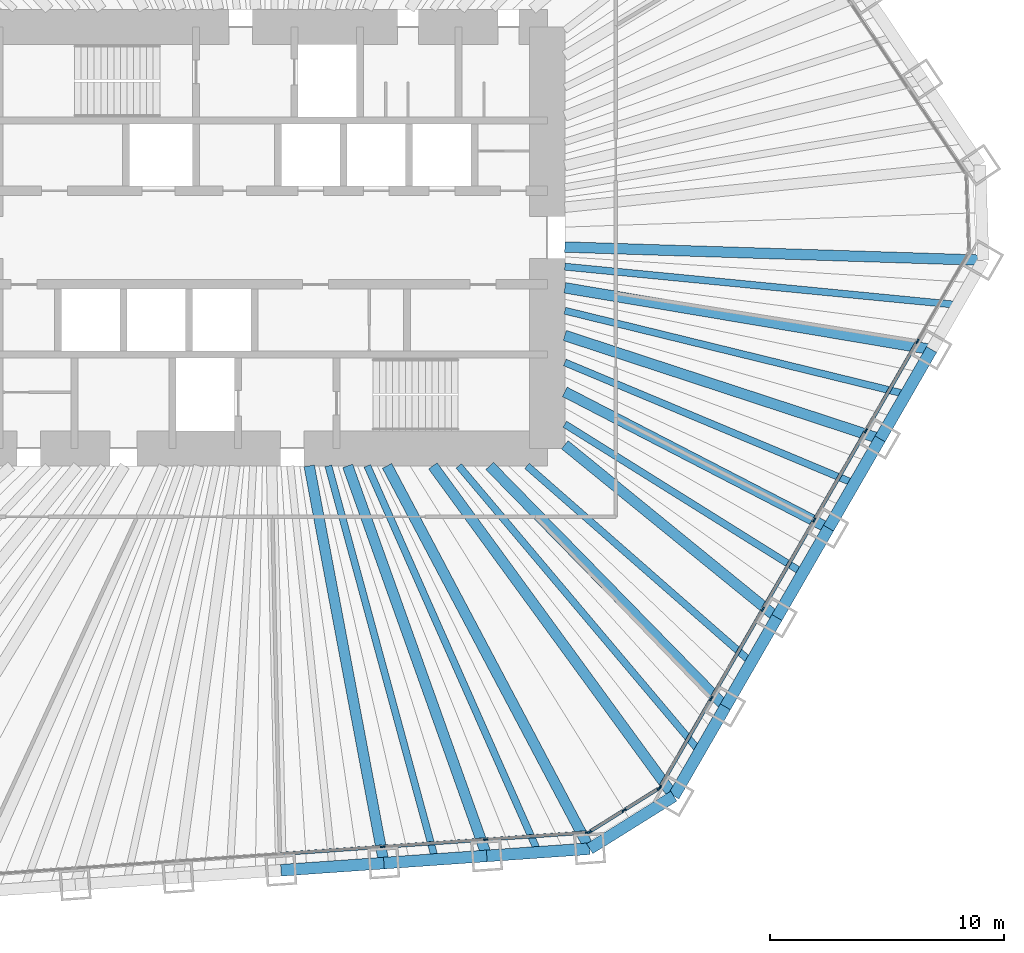
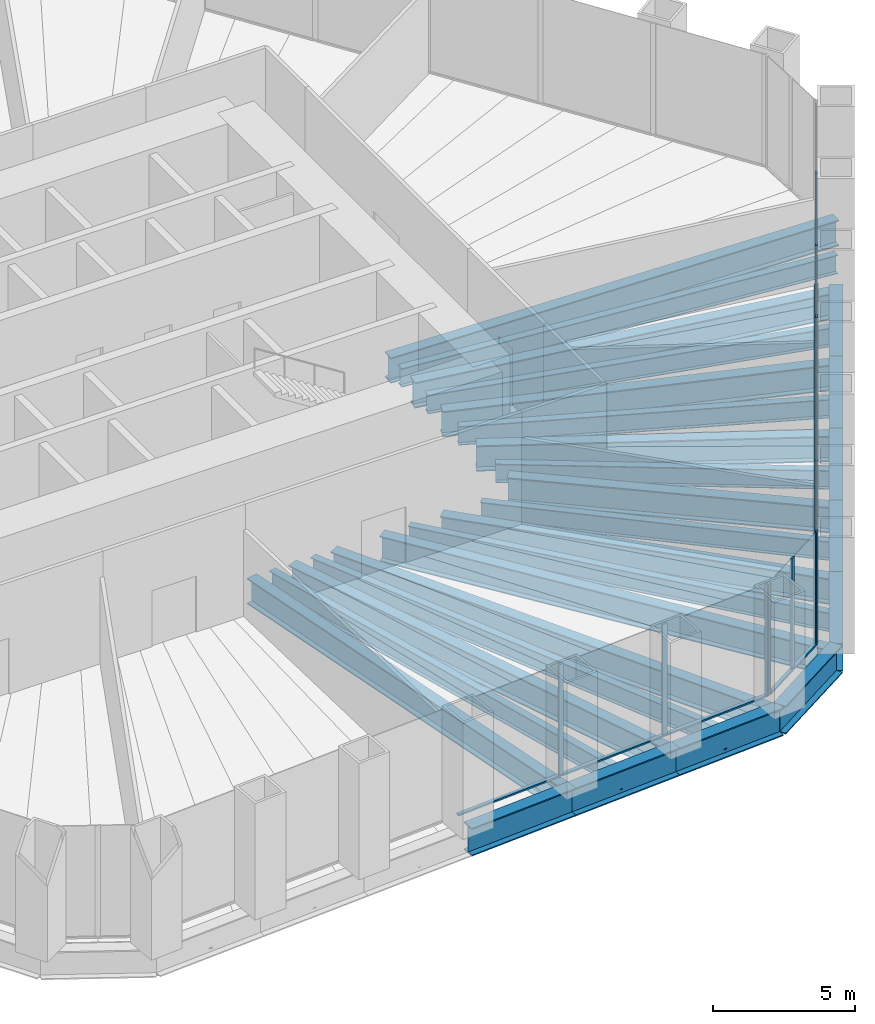
# One storey, part 4 of 14: 27 beams, 22 members, 3 elements without a shape of their own.
"""IFC4 building model written with IfcOpenShell, lengths in metres."""

import ifcopenshell
import ifcopenshell.guid

model = None  # the IFC model being written
_history = None  # IfcOwnerHistory: only IFC2X3 demands one
_inside = {}  # id of a spatial element -> (the spatial element, [elements in it])
_under = {}  # id of a project, library or spatial element -> (it, [spatial elements below it])
_declared = {}  # id of a project -> (the project, [libraries it declares])
_typed = {}  # id of a type object -> (the type object, [elements of that type])
_made_of = {}  # id of a material, layer set ... -> (it, [elements and type objects made of it])


def new_model(schema):
    """Start an empty IFC model of exactly this schema.

    Asked for "IFC4X3", IfcOpenShell would pick the latest addendum, in which some entities
    have other attributes; the version numbers below select the first issue.
    IFC2X3 requires an IfcOwnerHistory on every rooted entity: one is made here for all.
    """
    global model, _history
    if schema == "IFC4X3":
        model = ifcopenshell.file(schema_version=(4, 3, 0, 0))
    else:
        model = ifcopenshell.file(schema=schema)
    _inside.clear()
    _under.clear()
    _declared.clear()
    _typed.clear()
    _made_of.clear()
    _history = None
    if model.schema == "IFC2X3":
        org = make("IfcOrganization", Name="unknown")
        user = make(
            "IfcPersonAndOrganization",
            ThePerson=make("IfcPerson", FamilyName="unknown"),
            TheOrganization=org,
        )
        app = make(
            "IfcApplication",
            ApplicationDeveloper=org,
            Version="unknown",
            ApplicationFullName="unknown",
            ApplicationIdentifier="unknown",
        )
        _history = make(
            "IfcOwnerHistory",
            OwningUser=user,
            OwningApplication=app,
            ChangeAction="ADDED",
            CreationDate=0,
        )
    return model


def make(cls, **values):
    """One entity of the class cls with the attributes given. An attribute that is None is left unset."""
    return model.create_entity(
        cls, **{name: value for name, value in values.items() if value is not None}
    )


def rooted(cls, **values):
    """An entity with a GlobalId (a new one), such as an element, a storey or a relation."""
    return make(cls, GlobalId=ifcopenshell.guid.new(), OwnerHistory=_history, **values)


def si_unit(unit_type, name, prefix=None):
    """IfcSIUnit, for example si_unit("LENGTHUNIT", "METRE", prefix="MILLI")."""
    return make("IfcSIUnit", UnitType=unit_type, Prefix=prefix, Name=name)


def assignment(units):
    """IfcUnitAssignment: the units of a project."""
    return None if units is None else make("IfcUnitAssignment", Units=units)


def point(xyz):
    """IfcCartesianPoint."""
    return None if xyz is None else make("IfcCartesianPoint", Coordinates=xyz)


def direction(xyz):
    """IfcDirection."""
    return None if xyz is None else make("IfcDirection", DirectionRatios=xyz)


def frame(location, z_axis=None, x_axis=None):
    """IfcAxis2Placement3D, a coordinate frame: its origin and axes. An axis left out is left unset."""
    return make(
        "IfcAxis2Placement3D",
        Location=point(location),
        Axis=direction(z_axis),
        RefDirection=direction(x_axis),
    )


def frame_2d(location, x_axis=None):
    """IfcAxis2Placement2D, a coordinate frame in the plane: its origin and x axis."""
    return make(
        "IfcAxis2Placement2D", Location=point(location), RefDirection=direction(x_axis)
    )


def origin():
    """The frame at (0, 0, 0) with its axes left unset."""
    return frame((0.0, 0.0, 0.0))


def origin_2d():
    """The frame at (0, 0) in the plane with its x axis left unset."""
    return frame_2d((0.0, 0.0))


def place(relative_to, where):
    """IfcLocalPlacement: puts the frame where relative to a parent placement (None: the world)."""
    return make(
        "IfcLocalPlacement", PlacementRelTo=relative_to, RelativePlacement=where
    )


def context(
    kind, dimensions, precision=None, world=None, true_north=None, identifier=None
):
    """IfcGeometricRepresentationContext, for example the 3D "Model" context."""
    return make(
        "IfcGeometricRepresentationContext",
        ContextIdentifier=identifier,
        ContextType=kind,
        CoordinateSpaceDimension=dimensions,
        Precision=precision,
        WorldCoordinateSystem=world,
        TrueNorth=true_north,
    )


def subcontext(parent, identifier, kind, view, scale=None):
    """IfcGeometricRepresentationSubContext, for example "Body" below "Model"."""
    return make(
        "IfcGeometricRepresentationSubContext",
        ContextIdentifier=identifier,
        ContextType=kind,
        ParentContext=parent,
        TargetScale=scale,
        TargetView=view,
    )


def project(units=None, contexts=None):
    """IfcProject with its units and contexts."""
    return rooted(
        "IfcProject",
        Name="project",
        RepresentationContexts=contexts,
        UnitsInContext=assignment(units),
    )


def spatial(cls, under=None, at=None, **own):
    """A site, building, storey or space (cls), placed at a placement, below another one or the project."""
    s = rooted(cls, ObjectPlacement=at, **own)
    if under is not None:
        _under.setdefault(under.id(), (under, []))[1].append(s)
    return s


def profile(cls, at=None, kind="AREA", **sizes):
    """A parametric profile (cls). Its sizes go by their IFC names, for example OverallWidth=200.0."""
    return make(cls, ProfileType=kind, Position=at, **sizes)


def rectangle(**sizes):
    """IfcRectangleProfileDef."""
    return profile("IfcRectangleProfileDef", **sizes)


def i_section(**sizes):
    """IfcIShapeProfileDef."""
    return profile("IfcIShapeProfileDef", **sizes)


def extrude(swept, where, along, depth):
    """IfcExtrudedAreaSolid: the profile swept, set in the frame where, extruded along a direction by depth."""
    return make(
        "IfcExtrudedAreaSolid",
        SweptArea=swept,
        Position=where,
        ExtrudedDirection=direction(along),
        Depth=depth,
    )


def shape(context_of_items, identifier, shape_type, items):
    """IfcShapeRepresentation: the items that make up one representation, for example the "Body"."""
    return make(
        "IfcShapeRepresentation",
        ContextOfItems=context_of_items,
        RepresentationIdentifier=identifier,
        RepresentationType=shape_type,
        Items=items,
    )


def material(Name=None, Category=None):
    """IfcMaterial."""
    return make("IfcMaterial", Name=Name, Category=Category)


def material_profile(
    of_material, cross_section, Name=None, Category=None, Priority=None
):
    """IfcMaterialProfile: a cross section and its material."""
    return make(
        "IfcMaterialProfile",
        Name=Name,
        Material=of_material,
        Profile=cross_section,
        Priority=Priority,
        Category=Category,
    )


def profile_set(profiles, Name=None, composite=None):
    """IfcMaterialProfileSet."""
    return make(
        "IfcMaterialProfileSet",
        Name=Name,
        MaterialProfiles=profiles,
        CompositeProfile=composite,
    )


def made_of(thing, what):
    """Note that an element or type object is made of a material, layer set ...; save() writes the relation."""
    if what is not None:
        _made_of.setdefault(what.id(), (what, []))[1].append(thing)
    return thing


def type_object(cls, material=None, **own):
    """A type object (cls), such as IfcWallType, which elements share."""
    return made_of(rooted(cls, **own), material)


def element(
    cls,
    number,
    at=None,
    inside=None,
    cuts=None,
    type_object=None,
    material=None,
    context=None,
    identifier="Body",
    shape_type=None,
    held_by="IfcProductDefinitionShape",
    body=None,
    shapes=None,
    **own,
):
    """One element of the class cls, such as IfcWall. Its Tag is "e" and its number.

    at: its placement. inside: the storey or other place that contains it. cuts: it is an
    opening in that element (IfcRelVoidsElement). A single representation is given by context,
    identifier, shape_type and body (its items); several are given by shapes. held_by: the class
    of the entity that holds the representations. save() writes the other relations.
    """
    e = rooted(cls, Tag="e%d" % number, ObjectPlacement=at, **own)
    if body is not None:
        shapes = [shape(context, identifier, shape_type, body)]
    if shapes is not None:
        e.Representation = make(held_by, Representations=shapes)
    if inside is not None:
        _inside.setdefault(inside.id(), (inside, []))[1].append(e)
    if cuts is not None:
        rooted(
            "IfcRelVoidsElement", RelatingBuildingElement=cuts, RelatedOpeningElement=e
        )
    if type_object is not None:
        _typed.setdefault(type_object.id(), (type_object, []))[1].append(e)
    return made_of(e, material)


def aggregate(whole, parts):
    """IfcRelAggregates: a whole, such as a stair, and the parts it consists of."""
    return rooted("IfcRelAggregates", RelatingObject=whole, RelatedObjects=parts)


def save(model, path):
    """Write the relations noted so far, then the file.

    IfcRelAggregates (storeys below a building ...), IfcRelContainedInSpatialStructure (elements
    in a storey), IfcRelDefinesByType, IfcRelAssociatesMaterial and IfcRelDeclares: one each for
    every whole, place, type object, material and project.
    """
    for whole, parts in _under.values():
        aggregate(whole, parts)
    for where, things in _inside.values():
        rooted(
            "IfcRelContainedInSpatialStructure",
            RelatedElements=things,
            RelatingStructure=where,
        )
    for kind, things in _typed.values():
        rooted("IfcRelDefinesByType", RelatedObjects=things, RelatingType=kind)
    for what, things in _made_of.values():
        rooted("IfcRelAssociatesMaterial", RelatedObjects=things, RelatingMaterial=what)
    for by, libraries in _declared.values():
        rooted("IfcRelDeclares", RelatingContext=by, RelatedDefinitions=libraries)
    model.write(path)


model = new_model("IFC4")

# Units and contexts
model_context = context("Model", 3, precision=1e-05, world=origin(), true_north=direction((0.0, 1.0)))
body_context = subcontext(model_context, "Body", "Model", "MODEL_VIEW")
ifc_project = project(units=[si_unit("LENGTHUNIT", "METRE"), si_unit("AREAUNIT", "SQUARE_METRE"), si_unit("VOLUMEUNIT", "CUBIC_METRE"), si_unit("PLANEANGLEUNIT", "RADIAN"), si_unit("MASSUNIT", "GRAM", prefix="KILO")], contexts=[model_context])

# Site, building, storey
site_placement = place(None, origin())
site = spatial("IfcSite", under=ifc_project, at=site_placement, CompositionType="ELEMENT")
building_placement = place(site_placement, origin())
building = spatial("IfcBuilding", under=site, at=building_placement, Name="Qingtian Harvest Tower", CompositionType="ELEMENT")
storey_placement = place(building_placement, frame((0.0, 0.0, 52.0)))
storey = spatial("IfcBuildingStorey", under=building, at=storey_placement, Name="L10", CompositionType="ELEMENT", Elevation=52.0)

# Beams
ifc_material_1 = material(Name="Steel SM570MC", Category="steel")
ifc_material_profile_1 = material_profile(ifc_material_1, i_section(OverallWidth=0.449951171875, OverallDepth=1.10009765625, WebThickness=0.02197265625, FlangeThickness=0.044921875, at=origin_2d()), Name="H1100x450x22x45")
ifc_profile_set_1 = profile_set([ifc_material_profile_1], Name="Steel SM570MC")
beam_type_1 = type_object("IfcBeamType", Name="Corner floor beam FB8 H1100x450x22x45", PredefinedType="BEAM", material=ifc_profile_set_1)
beam_1_placement = place(storey_placement, frame((30.618408203125, -0.96728515625, -0.75), z_axis=(-0.999501426546, 0.031573696842, 0.0), x_axis=(-0.031573696842, -0.999501426546, 0.0)))
element("IfcBeam", 1, at=beam_1_placement, inside=storey, type_object=beam_type_1, Name="Floor beam FB8 SE0", PredefinedType="BEAM", context=body_context, shape_type="SweptSolid", body=[
    extrude(i_section(OverallWidth=0.449951171875, OverallDepth=1.10009765625, WebThickness=0.02197265625, FlangeThickness=0.044921875, at=origin_2d()), origin(), (0.0, 0.0, 1.0), 17.87744140625),
])
beam_2_placement = place(storey_placement, frame((17.404541015625, -23.854248046875, -0.75), z_axis=(-0.58941234871, 0.807832336062, 0.0), x_axis=(-0.807832336062, -0.58941234871, 0.0)))
element("IfcBeam", 2, at=beam_2_placement, inside=storey, type_object=beam_type_1, Name="Floor beam FB8 SE6", PredefinedType="BEAM", context=body_context, shape_type="SweptSolid", body=[
    extrude(i_section(OverallWidth=0.449951171875, OverallDepth=1.10009765625, WebThickness=0.02197265625, FlangeThickness=0.044921875, at=origin_2d()), origin(), (0.0, 0.0, 1.0), 17.45947265625),
])
beam_3_placement = place(storey_placement, frame((13.810546875, -26.10009765625, -0.75), z_axis=(-0.467705182679, 0.883884529843, 0.0), x_axis=(-0.883884529843, -0.467705182679, 0.0)))
element("IfcBeam", 3, at=beam_3_placement, inside=storey, type_object=beam_type_1, Name="Floor beam FB8 S0", PredefinedType="BEAM", context=body_context, shape_type="SweptSolid", body=[
    extrude(i_section(OverallWidth=0.449951171875, OverallDepth=1.10009765625, WebThickness=0.02197265625, FlangeThickness=0.044921875, at=origin_2d()), origin(), (0.0, 0.0, 1.0), 18.498046875),
])
ifc_material_2 = material(Name="Steel SM570MC", Category="steel")
ifc_material_profile_2 = material_profile(ifc_material_2, i_section(OverallWidth=0.449951171875, OverallDepth=1.10009765625, WebThickness=0.02197265625, FlangeThickness=0.044921875, at=origin_2d()), Name="H1100x450x22x45")
ifc_profile_set_2 = profile_set([ifc_material_profile_2], Name="Steel SM570MC")
beam_type_2 = type_object("IfcBeamType", Name="Floor beam FB1 H1100x450x22x45", PredefinedType="BEAM", material=ifc_profile_set_2)
beam_4_placement = place(storey_placement, frame((28.416015625, -4.78173828125, -0.75), z_axis=(-0.986135195489, 0.16594389479, 0.0), x_axis=(-0.16594389479, -0.986135195489, 0.0)))
element("IfcBeam", 4, at=beam_4_placement, inside=storey, type_object=beam_type_2, Name="Floor beam FB1 SE1", PredefinedType="BEAM", context=body_context, shape_type="SweptSolid", body=[
    extrude(i_section(OverallWidth=0.449951171875, OverallDepth=1.10009765625, WebThickness=0.02197265625, FlangeThickness=0.044921875, at=origin_2d()), origin(), (0.0, 0.0, 1.0), 15.88623046875),
])
beam_5_placement = place(storey_placement, frame((26.2138671875, -8.596435546875, -0.75), z_axis=(-0.950210724421, 0.311608053803, 0.0), x_axis=(-0.311608053803, -0.950210724421, 0.0)))
element("IfcBeam", 5, at=beam_5_placement, inside=storey, type_object=beam_type_2, Name="Floor beam FB1 SE2", PredefinedType="BEAM", context=body_context, shape_type="SweptSolid", body=[
    extrude(i_section(OverallWidth=0.449951171875, OverallDepth=1.10009765625, WebThickness=0.02197265625, FlangeThickness=0.044921875, at=origin_2d()), origin(), (0.0, 0.0, 1.0), 14.16943359375),
])
beam_6_placement = place(storey_placement, frame((24.011474609375, -12.410888671875, -0.75), z_axis=(-0.888349581519, 0.45916774823, 0.0), x_axis=(-0.45916774823, -0.888349581519, 0.0)))
element("IfcBeam", 6, at=beam_6_placement, inside=storey, type_object=beam_type_2, Name="Floor beam FB1 SE3", PredefinedType="BEAM", context=body_context, shape_type="SweptSolid", body=[
    extrude(i_section(OverallWidth=0.449951171875, OverallDepth=1.10009765625, WebThickness=0.02197265625, FlangeThickness=0.044921875, at=origin_2d()), origin(), (0.0, 0.0, 1.0), 12.6767578125),
])
beam_7_placement = place(storey_placement, frame((21.809326171875, -16.225341796875, -0.75), z_axis=(-0.775504415669, 0.631342142802, 0.0), x_axis=(-0.631342142802, -0.775504415669, 0.0)))
element("IfcBeam", 7, at=beam_7_placement, inside=storey, type_object=beam_type_2, Name="Floor beam FB1 SE4", PredefinedType="BEAM", context=body_context, shape_type="SweptSolid", body=[
    extrude(i_section(OverallWidth=0.449951171875, OverallDepth=1.10009765625, WebThickness=0.02197265625, FlangeThickness=0.044921875, at=origin_2d()), origin(), (0.0, 0.0, 1.0), 11.681884765625),
])
beam_8_placement = place(storey_placement, frame((19.60693359375, -20.039794921875, -0.75), z_axis=(-0.699348221539, 0.714781130858, 0.0), x_axis=(-0.714781130858, -0.699348221539, 0.0)))
element("IfcBeam", 8, at=beam_8_placement, inside=storey, type_object=beam_type_2, Name="Floor beam FB1 SE5", PredefinedType="BEAM", context=body_context, shape_type="SweptSolid", body=[
    extrude(i_section(OverallWidth=0.449951171875, OverallDepth=1.10009765625, WebThickness=0.02197265625, FlangeThickness=0.044921875, at=origin_2d()), origin(), (0.0, 0.0, 1.0), 14.395751953125),
])
beam_9_placement = place(storey_placement, frame((9.41650390625, -26.407470703125, -0.75), z_axis=(-0.33586498155, 0.941910141239, 0.0), x_axis=(-0.941910141239, -0.33586498155, 0.0)))
element("IfcBeam", 9, at=beam_9_placement, inside=storey, type_object=beam_type_2, Name="Floor beam FB1 S1", PredefinedType="BEAM", context=body_context, shape_type="SweptSolid", body=[
    extrude(i_section(OverallWidth=0.449951171875, OverallDepth=1.10009765625, WebThickness=0.02197265625, FlangeThickness=0.044921875, at=origin_2d()), origin(), (0.0, 0.0, 1.0), 17.684814453125),
])
beam_10_placement = place(storey_placement, frame((5.022705078125, -26.714599609375, -0.75), z_axis=(-0.184782942099, 0.98277935688, 0.0), x_axis=(-0.98277935688, -0.184782942099, 0.0)))
element("IfcBeam", 10, at=beam_10_placement, inside=storey, type_object=beam_type_2, Name="Floor beam FB1 S2", PredefinedType="BEAM", context=body_context, shape_type="SweptSolid", body=[
    extrude(i_section(OverallWidth=0.449951171875, OverallDepth=1.10009765625, WebThickness=0.02197265625, FlangeThickness=0.044921875, at=origin_2d()), origin(), (0.0, 0.0, 1.0), 17.261962890625),
])
ifc_material_3 = material(Name="Steel SN490B", Category="steel")
ifc_material_profile_3 = material_profile(ifc_material_3, i_section(OverallWidth=0.300048828125, OverallDepth=0.800048828125, WebThickness=0.013916015625, FlangeThickness=0.02587890625, at=origin_2d()), Name="H800x300x14x26")
ifc_profile_set_3 = profile_set([ifc_material_profile_3], Name="Steel SN490B")
beam_type_3 = type_object("IfcBeamType", Name="Floor joist J1 H800x300x14x26", PredefinedType="JOIST", material=ifc_profile_set_3)
beam_11_placement = place(storey_placement, frame((29.517333984375, -2.87451171875, -0.60009765625), z_axis=(-0.995291970786, 0.096922097011, 0.0), x_axis=(-0.096922097011, -0.995291970786, 0.0)))
element("IfcBeam", 11, at=beam_11_placement, inside=storey, type_object=beam_type_3, Name="Floor joist J1 SE0", PredefinedType="JOIST", context=body_context, shape_type="SweptSolid", body=[
    extrude(i_section(OverallWidth=0.300048828125, OverallDepth=0.800048828125, WebThickness=0.013916015625, FlangeThickness=0.02587890625, at=origin_2d()), origin(), (0.0, 0.0, 1.0), 16.8466796875),
])
beam_12_placement = place(storey_placement, frame((27.31494140625, -6.68896484375, -0.60009765625), z_axis=(-0.971301533706, 0.237851488583, 0.0), x_axis=(-0.237851488583, -0.971301533706, 0.0)))
element("IfcBeam", 12, at=beam_12_placement, inside=storey, type_object=beam_type_3, Name="Floor joist J1 SE1", PredefinedType="JOIST", context=body_context, shape_type="SweptSolid", body=[
    extrude(i_section(OverallWidth=0.300048828125, OverallDepth=0.800048828125, WebThickness=0.013916015625, FlangeThickness=0.02587890625, at=origin_2d()), origin(), (0.0, 0.0, 1.0), 14.995361328125),
])
beam_13_placement = place(storey_placement, frame((25.112548828125, -10.503662109375, -0.60009765625), z_axis=(-0.922550516103, 0.385876334125, 0.0), x_axis=(-0.385876334125, -0.922550516103, 0.0)))
element("IfcBeam", 13, at=beam_13_placement, inside=storey, type_object=beam_type_3, Name="Floor joist J1 SE2", PredefinedType="JOIST", context=body_context, shape_type="SweptSolid", body=[
    extrude(i_section(OverallWidth=0.300048828125, OverallDepth=0.800048828125, WebThickness=0.013916015625, FlangeThickness=0.02587890625, at=origin_2d()), origin(), (0.0, 0.0, 1.0), 13.400390625),
])
beam_14_placement = place(storey_placement, frame((22.910400390625, -14.318115234375, -0.60009765625), z_axis=(-0.848013185461, 0.52997512893, 0.0), x_axis=(-0.52997512893, -0.848013185461, 0.0)))
element("IfcBeam", 14, at=beam_14_placement, inside=storey, type_object=beam_type_3, Name="Floor joist J1 SE3", PredefinedType="JOIST", context=body_context, shape_type="SweptSolid", body=[
    extrude(i_section(OverallWidth=0.300048828125, OverallDepth=0.800048828125, WebThickness=0.013916015625, FlangeThickness=0.02587890625, at=origin_2d()), origin(), (0.0, 0.0, 1.0), 11.9814453125),
])
beam_15_placement = place(storey_placement, frame((20.7080078125, -18.132568359375, -0.60009765625), z_axis=(-0.75234369212, 0.658770801514, 0.0), x_axis=(-0.658770801514, -0.75234369212, 0.0)))
element("IfcBeam", 15, at=beam_15_placement, inside=storey, type_object=beam_type_3, Name="Floor joist J1 SE4", PredefinedType="JOIST", context=body_context, shape_type="SweptSolid", body=[
    extrude(i_section(OverallWidth=0.300048828125, OverallDepth=0.800048828125, WebThickness=0.013916015625, FlangeThickness=0.02587890625, at=origin_2d()), origin(), (0.0, 0.0, 1.0), 12.724609375),
])
beam_16_placement = place(storey_placement, frame((18.505859375, -21.947021484375, -0.60009765625), z_axis=(-0.644630398038, 0.76449437534, 0.0), x_axis=(-0.76449437534, -0.644630398038, 0.0)))
element("IfcBeam", 16, at=beam_16_placement, inside=storey, type_object=beam_type_3, Name="Floor joist J1 SE5", PredefinedType="JOIST", context=body_context, shape_type="SweptSolid", body=[
    extrude(i_section(OverallWidth=0.300048828125, OverallDepth=0.800048828125, WebThickness=0.013916015625, FlangeThickness=0.02587890625, at=origin_2d()), origin(), (0.0, 0.0, 1.0), 15.954345703125),
])
beam_17_placement = place(storey_placement, frame((11.613525390625, -26.25390625, -0.60009765625), z_axis=(-0.404539958959, 0.914520323233, 0.0), x_axis=(-0.914520323233, -0.404539958959, 0.0)))
element("IfcBeam", 17, at=beam_17_placement, inside=storey, type_object=beam_type_3, Name="Floor joist J1 S0", PredefinedType="JOIST", context=body_context, shape_type="SweptSolid", body=[
    extrude(i_section(OverallWidth=0.300048828125, OverallDepth=0.800048828125, WebThickness=0.013916015625, FlangeThickness=0.02587890625, at=origin_2d()), origin(), (0.0, 0.0, 1.0), 18.046630859375),
])
beam_18_placement = place(storey_placement, frame((7.2197265625, -26.56103515625, -0.60009765625), z_axis=(-0.262302659247, 0.964985655309, 0.0), x_axis=(-0.964985655309, -0.262302659247, 0.0)))
element("IfcBeam", 18, at=beam_18_placement, inside=storey, type_object=beam_type_3, Name="Floor joist J1 S1", PredefinedType="JOIST", context=body_context, shape_type="SweptSolid", body=[
    extrude(i_section(OverallWidth=0.300048828125, OverallDepth=0.800048828125, WebThickness=0.013916015625, FlangeThickness=0.02587890625, at=origin_2d()), origin(), (0.0, 0.0, 1.0), 17.421142578125),
])

# Curtain wall, members
ifc_material_4 = material(Name="Bronze-anodised aluminium curtain wall", Category="aluminium")
curtain_wall_type = type_object("IfcCurtainWallType", Name="Curtain wall CW2 farm reception", PredefinedType="USERDEFINED", material=ifc_material_4)
curtain_wall_1_placement = place(storey_placement, origin())
curtain_wall_1 = element("IfcCurtainWall", 19, at=curtain_wall_1_placement, inside=storey, type_object=curtain_wall_type, Name="Curtain wall CW2 L10 SE0-5", ObjectType="RECESSED CURTAIN WALL", PredefinedType="USERDEFINED")
ifc_material_5 = material(Name="Bronze-anodised aluminium mullion", Category="aluminium")
ifc_material_profile_4 = material_profile(ifc_material_5, rectangle(XDim=0.06494140625, YDim=0.199951171875, at=origin_2d()), Name="AL 65x200")
ifc_profile_set_4 = profile_set([ifc_material_profile_4], Name="Bronze-anodised aluminium mullion")
member_type_1 = type_object("IfcMemberType", Name="Mullion CWM 65x200", PredefinedType="MULLION", material=ifc_profile_set_4)
member_1_placement = place(storey_placement, frame((27.809814453125, -4.431884765625, 0.0), z_axis=(0.0, 0.0, 1.0), x_axis=(0.866025403784, -0.5, 0.0)))
member_1 = element("IfcMember", 20, at=member_1_placement, type_object=member_type_1, Name="CW2 mullion 2", PredefinedType="MULLION", context=body_context, shape_type="SweptSolid", body=[
    extrude(rectangle(XDim=0.06494140625, YDim=0.199951171875, at=origin_2d()), origin(), (0.0, 0.0, 1.0), 4.800048828125),
])
member_2_placement = place(storey_placement, frame((25.607666015625, -8.246337890625, 0.0), z_axis=(0.0, 0.0, 1.0), x_axis=(0.866025403784, -0.5, 0.0)))
member_2 = element("IfcMember", 21, at=member_2_placement, type_object=member_type_1, Name="CW2 mullion 3", PredefinedType="MULLION", context=body_context, shape_type="SweptSolid", body=[
    extrude(rectangle(XDim=0.06494140625, YDim=0.199951171875, at=origin_2d()), origin(), (0.0, 0.0, 1.0), 4.800048828125),
])
member_3_placement = place(storey_placement, frame((23.4052734375, -12.060791015625, 0.0), z_axis=(0.0, 0.0, 1.0), x_axis=(0.866025403784, -0.5, 0.0)))
member_3 = element("IfcMember", 22, at=member_3_placement, type_object=member_type_1, Name="CW2 mullion 4", PredefinedType="MULLION", context=body_context, shape_type="SweptSolid", body=[
    extrude(rectangle(XDim=0.06494140625, YDim=0.199951171875, at=origin_2d()), origin(), (0.0, 0.0, 1.0), 4.800048828125),
])
member_4_placement = place(storey_placement, frame((21.202880859375, -15.875244140625, 0.0), z_axis=(0.0, 0.0, 1.0), x_axis=(0.866025403784, -0.5, 0.0)))
member_4 = element("IfcMember", 23, at=member_4_placement, type_object=member_type_1, Name="CW2 mullion 5", PredefinedType="MULLION", context=body_context, shape_type="SweptSolid", body=[
    extrude(rectangle(XDim=0.06494140625, YDim=0.199951171875, at=origin_2d()), origin(), (0.0, 0.0, 1.0), 4.800048828125),
])
member_5_placement = place(storey_placement, frame((19.000732421875, -19.68994140625, 0.0), z_axis=(0.0, 0.0, 1.0), x_axis=(0.866025403784, -0.5, 0.0)))
member_5 = element("IfcMember", 24, at=member_5_placement, type_object=member_type_1, Name="CW2 mullion 6", PredefinedType="MULLION", context=body_context, shape_type="SweptSolid", body=[
    extrude(rectangle(XDim=0.06494140625, YDim=0.199951171875, at=origin_2d()), origin(), (0.0, 0.0, 1.0), 4.800048828125),
])
member_6_placement = place(storey_placement, frame((16.814697265625, -23.47607421875, 0.0), z_axis=(0.0, 0.0, 1.0), x_axis=(0.866025403784, -0.5, 0.0)))
member_6 = element("IfcMember", 25, at=member_6_placement, type_object=member_type_1, Name="CW2 mullion 7", PredefinedType="MULLION", context=body_context, shape_type="SweptSolid", body=[
    extrude(rectangle(XDim=0.06494140625, YDim=0.199951171875, at=origin_2d()), origin(), (0.0, 0.0, 1.0), 4.800048828125),
])

curtain_wall_2_placement = place(storey_placement, origin())
curtain_wall_2 = element("IfcCurtainWall", 26, at=curtain_wall_2_placement, inside=storey, type_object=curtain_wall_type, Name="Curtain wall CW2 L10 SEC", ObjectType="RECESSED CURTAIN WALL", PredefinedType="USERDEFINED")
member_7_placement = place(storey_placement, frame((16.770751953125, -23.521484375, 0.0), z_axis=(0.0, 0.0, 1.0), x_axis=(0.529919264233, -0.848048096156, 0.0)))
member_7 = element("IfcMember", 27, at=member_7_placement, type_object=member_type_1, Name="CW2 mullion 1", PredefinedType="MULLION", context=body_context, shape_type="SweptSolid", body=[
    extrude(rectangle(XDim=0.06494140625, YDim=0.199951171875, at=origin_2d()), origin(), (0.0, 0.0, 1.0), 4.800048828125),
])
member_8_placement = place(storey_placement, frame((15.280029296875, -24.453125, 0.0), z_axis=(0.0, 0.0, 1.0), x_axis=(0.529919264233, -0.848048096156, 0.0)))
member_8 = element("IfcMember", 28, at=member_8_placement, type_object=member_type_1, Name="CW2 mullion 2", PredefinedType="MULLION", context=body_context, shape_type="SweptSolid", body=[
    extrude(rectangle(XDim=0.06494140625, YDim=0.199951171875, at=origin_2d()), origin(), (0.0, 0.0, 1.0), 4.800048828125),
])
member_9_placement = place(storey_placement, frame((13.789306640625, -25.384765625, 0.0), z_axis=(0.0, 0.0, 1.0), x_axis=(0.529919264233, -0.848048096156, 0.0)))
member_9 = element("IfcMember", 29, at=member_9_placement, type_object=member_type_1, Name="CW2 mullion 3", PredefinedType="MULLION", context=body_context, shape_type="SweptSolid", body=[
    extrude(rectangle(XDim=0.06494140625, YDim=0.199951171875, at=origin_2d()), origin(), (0.0, 0.0, 1.0), 4.800048828125),
])

curtain_wall_3_placement = place(storey_placement, origin())
curtain_wall_3 = element("IfcCurtainWall", 30, at=curtain_wall_3_placement, inside=storey, type_object=curtain_wall_type, Name="Curtain wall CW2 L10 S0-5", ObjectType="RECESSED CURTAIN WALL", PredefinedType="USERDEFINED")
member_10_placement = place(storey_placement, frame((13.729248046875, -25.404296875, 0.0), z_axis=(0.0, 0.0, 1.0), x_axis=(0.069756473744, -0.99756405026, 0.0)))
member_10 = element("IfcMember", 31, at=member_10_placement, type_object=member_type_1, Name="CW2 mullion 1", PredefinedType="MULLION", context=body_context, shape_type="SweptSolid", body=[
    extrude(rectangle(XDim=0.06494140625, YDim=0.199951171875, at=origin_2d()), origin(), (0.0, 0.0, 1.0), 4.800048828125),
])
member_11_placement = place(storey_placement, frame((9.36767578125, -25.709228515625, 0.0), z_axis=(0.0, 0.0, 1.0), x_axis=(0.069756473744, -0.99756405026, 0.0)))
member_11 = element("IfcMember", 32, at=member_11_placement, type_object=member_type_1, Name="CW2 mullion 2", PredefinedType="MULLION", context=body_context, shape_type="SweptSolid", body=[
    extrude(rectangle(XDim=0.06494140625, YDim=0.199951171875, at=origin_2d()), origin(), (0.0, 0.0, 1.0), 4.800048828125),
])
member_12_placement = place(storey_placement, frame((4.973876953125, -26.016357421875, 0.0), z_axis=(0.0, 0.0, 1.0), x_axis=(0.069756473744, -0.99756405026, 0.0)))
member_12 = element("IfcMember", 33, at=member_12_placement, type_object=member_type_1, Name="CW2 mullion 3", PredefinedType="MULLION", context=body_context, shape_type="SweptSolid", body=[
    extrude(rectangle(XDim=0.06494140625, YDim=0.199951171875, at=origin_2d()), origin(), (0.0, 0.0, 1.0), 4.800048828125),
])

# Beams
ifc_material_6 = material(Name="Steel SM570MC", Category="steel")
ifc_material_profile_5 = material_profile(ifc_material_6, i_section(OverallWidth=0.5, OverallDepth=1.199951171875, WebThickness=0.02490234375, FlangeThickness=0.050048828125, at=origin_2d()), Name="H1200x500x25x50")
ifc_profile_set_5 = profile_set([ifc_material_profile_5], Name="Steel SM570MC")
beam_type_4 = type_object("IfcBeamType", Name="Spandrel beam SB1 H1200x500x25x50", PredefinedType="SPANDREL", material=ifc_profile_set_5)
beam_19_placement = place(storey_placement, frame((28.416015625, -4.78173828125, -0.60009765625), z_axis=(-0.499954356739, -0.86605175433, 0.0), x_axis=(0.86605175433, -0.499954356739, 0.0)))
element("IfcBeam", 34, at=beam_19_placement, inside=storey, type_object=beam_type_4, Name="Spandrel SB1 SE1", PredefinedType="SPANDREL", context=body_context, shape_type="SweptSolid", body=[
    extrude(i_section(OverallWidth=0.5, OverallDepth=1.199951171875, WebThickness=0.02490234375, FlangeThickness=0.050048828125, at=origin_2d()), origin(), (0.0, 0.0, 1.0), 4.40478515625),
])
for number, where, z_axis, x_axis, name in (
    (35, (26.2138671875, -8.596435546875, -0.60009765625), (-0.50001992892, -0.866013897511, 0.0), (0.866013897511, -0.50001992892, 0.0), "Spandrel SB1 SE2"),
    (36, (24.011474609375, -12.410888671875, -0.60009765625), (-0.499978356969, -0.866037899034, 0.0), (0.866037899034, -0.499978356969, 0.0), "Spandrel SB1 SE3"),
    (37, (21.809326171875, -16.225341796875, -0.60009765625), (-0.50001992892, -0.866013897511, 0.0), (0.866013897511, -0.50001992892, 0.0), "Spandrel SB1 SE4"),
    (38, (19.60693359375, -20.039794921875, -0.60009765625), (-0.50001992892, -0.866013897511, 0.0), (0.866013897511, -0.50001992892, 0.0), "Spandrel SB1 SE5"),
):
    element("IfcBeam", number, at=place(storey_placement, frame(where, z_axis=z_axis, x_axis=x_axis)), inside=storey, type_object=beam_type_4, Name=name, PredefinedType="SPANDREL", context=body_context, shape_type="SweptSolid", body=[
        extrude(i_section(OverallWidth=0.5, OverallDepth=1.199951171875, WebThickness=0.02490234375, FlangeThickness=0.050048828125, at=origin_2d()), origin(), (0.0, 0.0, 1.0), 4.404541015625),
    ])
beam_20_placement = place(storey_placement, frame((17.404541015625, -23.854248046875, -0.60009765625), z_axis=(-0.848040374245, -0.529931621675, 0.0), x_axis=(0.529931621675, -0.848040374245, 0.0)))
element("IfcBeam", 39, at=beam_20_placement, inside=storey, type_object=beam_type_4, Name="Spandrel SB1 SEC", PredefinedType="SPANDREL", context=body_context, shape_type="SweptSolid", body=[
    extrude(i_section(OverallWidth=0.5, OverallDepth=1.199951171875, WebThickness=0.02490234375, FlangeThickness=0.050048828125, at=origin_2d()), origin(), (0.0, 0.0, 1.0), 4.238037109375),
])
beam_21_placement = place(storey_placement, frame((13.810546875, -26.10009765625, -0.60009765625), z_axis=(-0.997562286406, -0.069781693443, 0.0), x_axis=(0.069781693443, -0.997562286406, 0.0)))
element("IfcBeam", 40, at=beam_21_placement, inside=storey, type_object=beam_type_4, Name="Spandrel SB1 S0", PredefinedType="SPANDREL", context=body_context, shape_type="SweptSolid", body=[
    extrude(i_section(OverallWidth=0.5, OverallDepth=1.199951171875, WebThickness=0.02490234375, FlangeThickness=0.050048828125, at=origin_2d()), origin(), (0.0, 0.0, 1.0), 4.40478515625),
])
for number, where, z_axis, x_axis, name in (
    (41, (9.41650390625, -26.407470703125, -0.60009765625), (-0.997565873714, -0.069730392239, 0.0), (0.069730392239, -0.997565873714, 0.0), "Spandrel SB1 S1"),
    (42, (5.022705078125, -26.714599609375, -0.60009765625), (-0.997562016486, -0.069785551967, 0.0), (0.069785551967, -0.997562016486, 0.0), "Spandrel SB1 S2"),
):
    element("IfcBeam", number, at=place(storey_placement, frame(where, z_axis=z_axis, x_axis=x_axis)), inside=storey, type_object=beam_type_4, Name=name, PredefinedType="SPANDREL", context=body_context, shape_type="SweptSolid", body=[
        extrude(i_section(OverallWidth=0.5, OverallDepth=1.199951171875, WebThickness=0.02490234375, FlangeThickness=0.050048828125, at=origin_2d()), origin(), (0.0, 0.0, 1.0), 4.404541015625),
    ])

# Member
ifc_material_7 = material(Name="Bronze-anodised aluminium transom", Category="aluminium")
ifc_material_profile_6 = material_profile(ifc_material_7, rectangle(XDim=0.14990234375, YDim=0.06494140625, at=origin_2d()), Name="AL 65x150")
ifc_profile_set_6 = profile_set([ifc_material_profile_6], Name="Bronze-anodised aluminium transom")
member_type_2 = type_object("IfcMemberType", Name="Transom CWT 65x150", PredefinedType="USERDEFINED", material=ifc_profile_set_6)
member_13_placement = place(storey_placement, frame((27.793701171875, -4.4599609375, 0.032470703125), z_axis=(-0.500011390128, -0.866018827591, 0.0), x_axis=(0.866018827591, -0.500011390128, 0.0)))
member_13 = element("IfcMember", 43, at=member_13_placement, type_object=member_type_2, Name="CW2 transom 2.1", ObjectType="TRANSOM", PredefinedType="USERDEFINED", context=body_context, shape_type="SweptSolid", body=[
    extrude(rectangle(XDim=0.14990234375, YDim=0.06494140625, at=origin_2d()), origin(), (0.0, 0.0, 1.0), 4.33984375),
])

member_14_placement = place(storey_placement, frame((25.59130859375, -8.2744140625, 0.032470703125), z_axis=(-0.499969196308, -0.866043187574, 0.0), x_axis=(0.866043187574, -0.499969196308, 0.0)))
member_14 = element("IfcMember", 44, at=member_14_placement, type_object=member_type_2, Name="CW2 transom 3.1", ObjectType="TRANSOM", PredefinedType="USERDEFINED", context=body_context, shape_type="SweptSolid", body=[
    extrude(rectangle(XDim=0.14990234375, YDim=0.06494140625, at=origin_2d()), origin(), (0.0, 0.0, 1.0), 4.339599609375),
])

member_15_placement = place(storey_placement, frame((23.38916015625, -12.0888671875, 0.032470703125), z_axis=(-0.500011390128, -0.866018827591, 0.0), x_axis=(0.866018827591, -0.500011390128, 0.0)))
member_15 = element("IfcMember", 45, at=member_15_placement, type_object=member_type_2, Name="CW2 transom 4.1", ObjectType="TRANSOM", PredefinedType="USERDEFINED", context=body_context, shape_type="SweptSolid", body=[
    extrude(rectangle(XDim=0.14990234375, YDim=0.06494140625, at=origin_2d()), origin(), (0.0, 0.0, 1.0), 4.33984375),
])

member_16_placement = place(storey_placement, frame((21.186767578125, -15.903564453125, 0.032470703125), z_axis=(-0.500035751442, -0.866004761696, 0.0), x_axis=(0.866004761696, -0.500035751442, 0.0)))
member_16 = element("IfcMember", 46, at=member_16_placement, type_object=member_type_2, Name="CW2 transom 5.1", ObjectType="TRANSOM", PredefinedType="USERDEFINED", context=body_context, shape_type="SweptSolid", body=[
    extrude(rectangle(XDim=0.14990234375, YDim=0.06494140625, at=origin_2d()), origin(), (0.0, 0.0, 1.0), 4.339599609375),
])

member_17_placement = place(storey_placement, frame((18.984375, -19.718017578125, 0.032470703125), z_axis=(-0.500010313095, -0.866019449435, 0.0), x_axis=(0.866019449435, -0.500010313095, 0.0)))
member_17 = element("IfcMember", 47, at=member_17_placement, type_object=member_type_2, Name="CW2 transom 6.1", ObjectType="TRANSOM", PredefinedType="USERDEFINED", context=body_context, shape_type="SweptSolid", body=[
    extrude(rectangle(XDim=0.14990234375, YDim=0.06494140625, at=origin_2d()), origin(), (0.0, 0.0, 1.0), 4.30712890625),
])

aggregate(curtain_wall_1, [member_1, member_2, member_3, member_4, member_5, member_6, member_13, member_14, member_15, member_16, member_17])

member_18_placement = place(storey_placement, frame((16.7431640625, -23.538818359375, 0.032470703125), z_axis=(-0.848063119425, -0.529895221219, 0.0), x_axis=(0.529895221219, -0.848063119425, 0.0)))
member_18 = element("IfcMember", 48, at=member_18_placement, type_object=member_type_2, Name="CW2 transom 1.1", ObjectType="TRANSOM", PredefinedType="USERDEFINED", context=body_context, shape_type="SweptSolid", body=[
    extrude(rectangle(XDim=0.14990234375, YDim=0.06494140625, at=origin_2d()), origin(), (0.0, 0.0, 1.0), 1.692626953125),
])

member_19_placement = place(storey_placement, frame((15.25244140625, -24.470458984375, 0.032470703125), z_axis=(-0.848103609743, -0.529830413568, 0.0), x_axis=(0.529830413568, -0.848103609743, 0.0)))
member_19 = element("IfcMember", 49, at=member_19_placement, type_object=member_type_2, Name="CW2 transom 2.1", ObjectType="TRANSOM", PredefinedType="USERDEFINED", context=body_context, shape_type="SweptSolid", body=[
    extrude(rectangle(XDim=0.14990234375, YDim=0.06494140625, at=origin_2d()), origin(), (0.0, 0.0, 1.0), 1.69287109375),
])

aggregate(curtain_wall_2, [member_7, member_8, member_9, member_18, member_19])

member_20_placement = place(storey_placement, frame((13.69677734375, -25.406494140625, 0.032470703125), z_axis=(-0.997566581753, -0.069720262262, 0.0), x_axis=(0.069720262262, -0.997566581753, 0.0)))
member_20 = element("IfcMember", 50, at=member_20_placement, type_object=member_type_2, Name="CW2 transom 1.1", ObjectType="TRANSOM", PredefinedType="USERDEFINED", context=body_context, shape_type="SweptSolid", body=[
    extrude(rectangle(XDim=0.14990234375, YDim=0.06494140625, at=origin_2d()), origin(), (0.0, 0.0, 1.0), 4.30712890625),
])

member_21_placement = place(storey_placement, frame((9.33544921875, -25.71142578125, 0.032470703125), z_axis=(-0.997563824095, -0.069759707979, 0.0), x_axis=(0.069759707979, -0.997563824095, 0.0)))
member_21 = element("IfcMember", 51, at=member_21_placement, type_object=member_type_2, Name="CW2 transom 2.1", ObjectType="TRANSOM", PredefinedType="USERDEFINED", context=body_context, shape_type="SweptSolid", body=[
    extrude(rectangle(XDim=0.14990234375, YDim=0.06494140625, at=origin_2d()), origin(), (0.0, 0.0, 1.0), 4.339599609375),
])

member_22_placement = place(storey_placement, frame((4.94140625, -26.018798828125, 0.032470703125), z_axis=(-0.997567737508, -0.069703723594, 0.0), x_axis=(0.069703723594, -0.997567737508, 0.0)))
member_22 = element("IfcMember", 52, at=member_22_placement, type_object=member_type_2, Name="CW2 transom 3.1", ObjectType="TRANSOM", PredefinedType="USERDEFINED", context=body_context, shape_type="SweptSolid", body=[
    extrude(rectangle(XDim=0.14990234375, YDim=0.06494140625, at=origin_2d()), origin(), (0.0, 0.0, 1.0), 4.339599609375),
])

aggregate(curtain_wall_3, [member_10, member_11, member_12, member_20, member_21, member_22])

save(model, "model.ifc")
